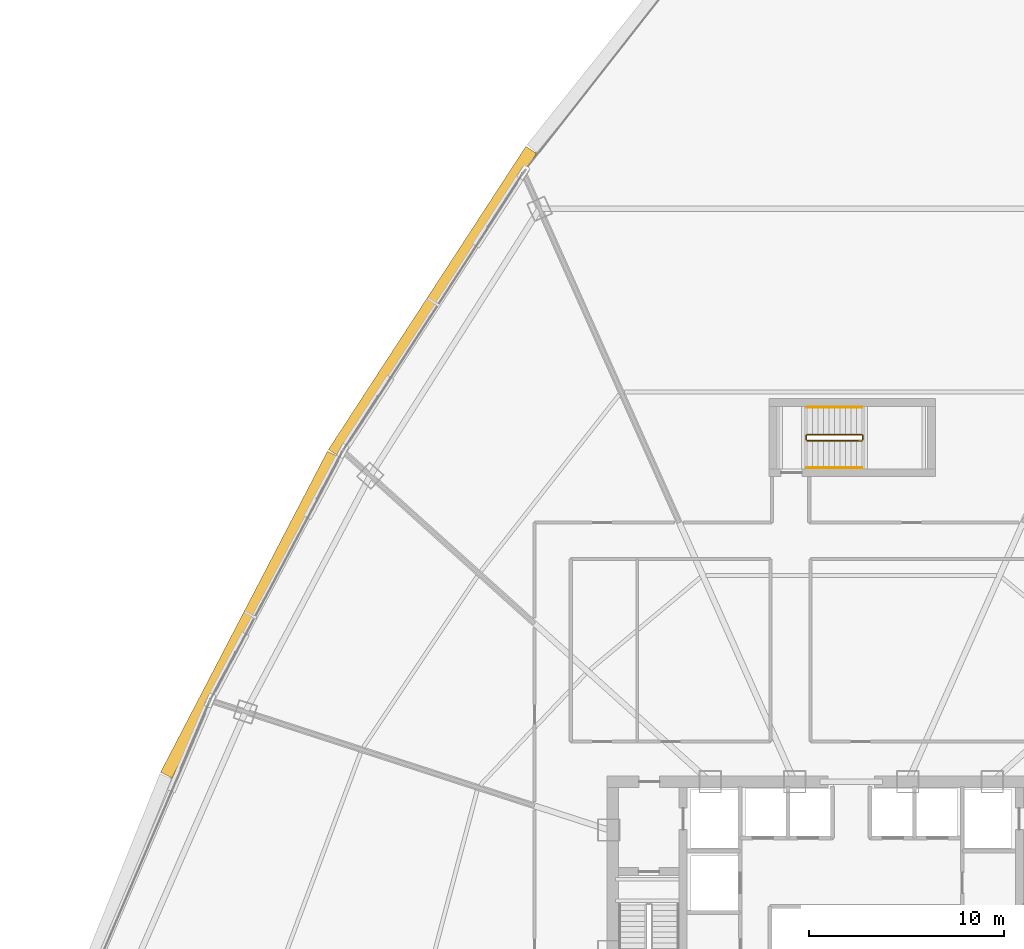
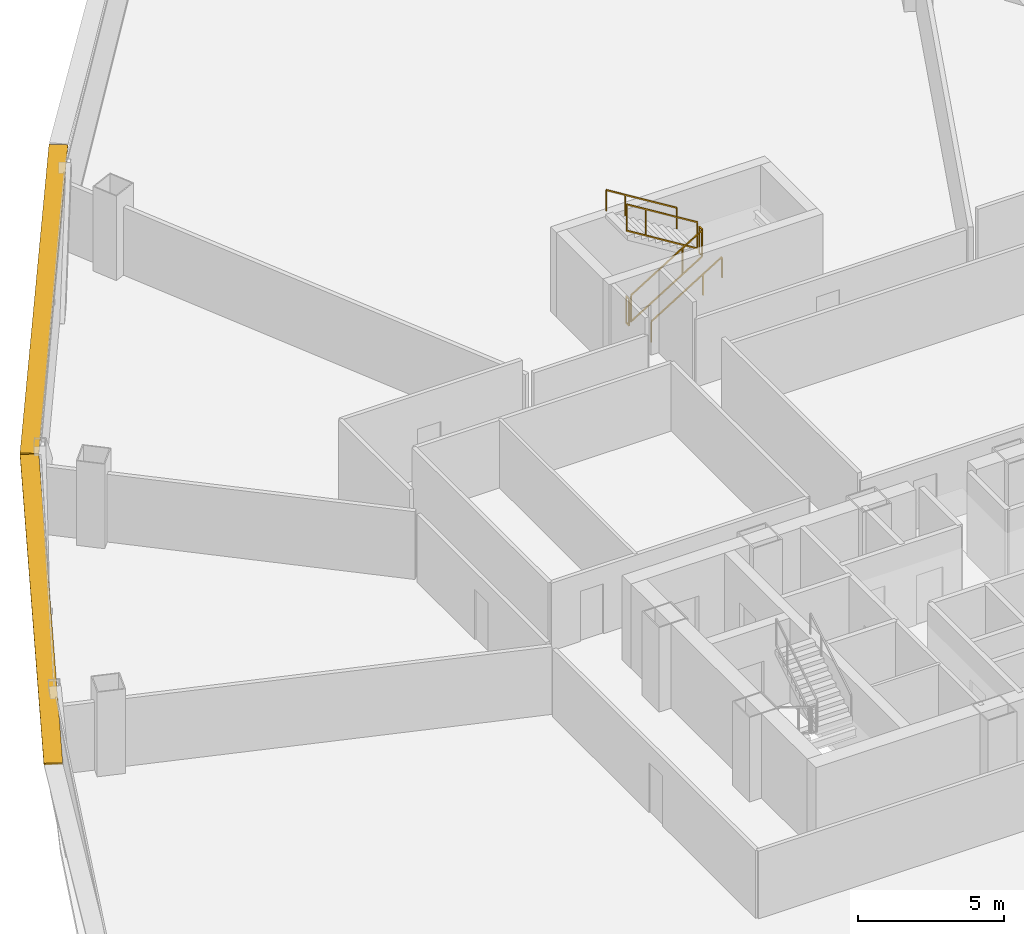
# One storey, part 38 of 39: 6 railings, 2 shading devices.
"""IFC4 building model written with IfcOpenShell, lengths in metres."""

from ifc_helpers import new_model, si_unit, direction, frame, origin, origin_2d, place, context, subcontext, project, spatial, rectangle, extrude, source, transform, mapped, material, layer, layer_set, type_object, element, save


model = new_model("IFC4")

# Units and contexts
model_context = context("Model", 3, precision=1e-05, world=origin(), true_north=direction((0.0, 1.0)))
body_context = subcontext(model_context, "Body", "Model", "MODEL_VIEW")
ifc_project = project(units=[si_unit("LENGTHUNIT", "METRE"), si_unit("AREAUNIT", "SQUARE_METRE"), si_unit("VOLUMEUNIT", "CUBIC_METRE"), si_unit("PLANEANGLEUNIT", "RADIAN"), si_unit("MASSUNIT", "GRAM", prefix="KILO"), si_unit("THERMODYNAMICTEMPERATUREUNIT", "KELVIN"), si_unit("POWERUNIT", "WATT")], contexts=[model_context])

# Site, building, storey
site_placement = place(None, origin())
site = spatial("IfcSite", under=ifc_project, at=site_placement, CompositionType="ELEMENT")
building_placement = place(site_placement, origin())
building = spatial("IfcBuilding", under=site, at=building_placement, Name="Yunzhuo Pagoda Commons", CompositionType="ELEMENT")
storey_placement = place(building_placement, frame((0.0, 0.0, 92.580078125)))
storey = spatial("IfcBuildingStorey", under=building, at=storey_placement, Name="L23", CompositionType="ELEMENT", Elevation=92.580078125)

# Railings
ifc_material = material(Name="Anodized aluminium 6063-T6", Category="aluminium")
railing_type_1 = type_object("IfcRailingType", Name="GR-ST3 North Well Guardrail 1155", PredefinedType="GUARDRAIL", material=ifc_material)
railing_1_placement = place(storey_placement, frame((45.75, 57.64990234375, 0.172607421875)))
element("IfcRailing", 1, at=railing_1_placement, inside=storey, type_object=railing_type_1, Name="L23 ST3 stair guard 1", PredefinedType="GUARDRAIL", context=body_context, shape_type="SweptSolid", body=[
    extrude(rectangle(XDim=0.048095703125, YDim=0.048095703125, at=origin_2d()), frame((0.0, 0.0, 1.1259765625), z_axis=(0.851089632645, 0.0, 0.525020415988), x_axis=(0.0, 1.0, 0.0)), (0.0, 0.0, 1.0), 3.2900390625),
    extrude(rectangle(XDim=0.048095703125, YDim=0.048095703125, at=origin_2d()), frame((0.0, 0.0, 0.02392578125), z_axis=(0.851089632645, 0.0, 0.525020415988), x_axis=(0.0, 1.0, 0.0)), (0.0, 0.0, 1.0), 3.2900390625),
    extrude(rectangle(XDim=0.0419921875, YDim=0.0419921875, at=origin_2d()), origin(), (0.0, 0.0, 1.0), 1.101806640625),
    extrude(rectangle(XDim=0.0419921875, YDim=0.0419921875, at=origin_2d()), frame((2.042724609375, 0.0, 1.260009765625)), (0.0, 0.0, 1.0), 1.101806640625),
    extrude(rectangle(XDim=0.0419921875, YDim=0.0419921875, at=origin_2d()), frame((2.800048828125, 0.0, 1.727294921875)), (0.0, 0.0, 1.0), 1.101806640625),
])
railing_2_placement = place(storey_placement, frame((48.60009765625, 57.699951171875, 1.89990234375)))
element("IfcRailing", 2, at=railing_2_placement, inside=storey, type_object=railing_type_1, Name="L23 ST3 stair guard 2", PredefinedType="GUARDRAIL", context=body_context, shape_type="SweptSolid", body=[
    extrude(rectangle(XDim=0.048095703125, YDim=0.048095703125, at=origin_2d()), frame((0.0, 0.0, 1.1259765625), z_axis=(0.0, 1.0, 0.0), x_axis=(-1.0, 0.0, 0.0)), (0.0, 0.0, 1.0), 0.199951171875),
    extrude(rectangle(XDim=0.048095703125, YDim=0.048095703125, at=origin_2d()), frame((0.0, 0.0, 0.02392578125), z_axis=(0.0, 1.0, 0.0), x_axis=(-1.0, 0.0, 0.0)), (0.0, 0.0, 1.0), 0.199951171875),
    extrude(rectangle(XDim=0.0419921875, YDim=0.0419921875, at=origin_2d()), origin(), (0.0, 0.0, 1.0), 1.101806640625),
    extrude(rectangle(XDim=0.0419921875, YDim=0.0419921875, at=origin_2d()), frame((0.0, 0.199951171875, 0.0)), (0.0, 0.0, 1.0), 1.101806640625),
])
railing_3_placement = place(storey_placement, frame((48.550048828125, 57.949951171875, 2.07275390625)))
element("IfcRailing", 3, at=railing_3_placement, inside=storey, type_object=railing_type_1, Name="L23 ST3 stair guard 3", PredefinedType="GUARDRAIL", context=body_context, shape_type="SweptSolid", body=[
    extrude(rectangle(XDim=0.048095703125, YDim=0.048095703125, at=origin_2d()), frame((0.0, 0.0, 1.1259765625), z_axis=(-0.851122791225, 0.0, 0.524966660138), x_axis=(0.0, -1.0, 0.0)), (0.0, 0.0, 1.0), 3.289794921875),
    extrude(rectangle(XDim=0.048095703125, YDim=0.048095703125, at=origin_2d()), frame((0.0, 0.0, 0.02392578125), z_axis=(-0.851122791225, 0.0, 0.524966660138), x_axis=(0.0, -1.0, 0.0)), (0.0, 0.0, 1.0), 3.289794921875),
    extrude(rectangle(XDim=0.0419921875, YDim=0.0419921875, at=origin_2d()), origin(), (0.0, 0.0, 1.0), 1.101806640625),
    extrude(rectangle(XDim=0.0419921875, YDim=0.0419921875, at=origin_2d()), frame((-2.042724609375, 0.0, 1.260009765625)), (0.0, 0.0, 1.0), 1.101806640625),
    extrude(rectangle(XDim=0.0419921875, YDim=0.0419921875, at=origin_2d()), frame((-2.800048828125, 0.0, 1.72705078125)), (0.0, 0.0, 1.0), 1.101806640625),
])
railing_4_placement = place(storey_placement, frame((45.699951171875, 57.699951171875, 0.0)))
element("IfcRailing", 4, at=railing_4_placement, inside=storey, type_object=railing_type_1, Name="L23 ST3 stair guard 4", PredefinedType="GUARDRAIL", context=body_context, shape_type="SweptSolid", body=[
    extrude(rectangle(XDim=0.048095703125, YDim=0.048095703125, at=origin_2d()), frame((0.0, 0.0, 1.1259765625), z_axis=(0.0, 1.0, 0.0), x_axis=(-1.0, 0.0, 0.0)), (0.0, 0.0, 1.0), 0.199951171875),
    extrude(rectangle(XDim=0.048095703125, YDim=0.048095703125, at=origin_2d()), frame((0.0, 0.0, 0.02392578125), z_axis=(0.0, 1.0, 0.0), x_axis=(-1.0, 0.0, 0.0)), (0.0, 0.0, 1.0), 0.199951171875),
    extrude(rectangle(XDim=0.0419921875, YDim=0.0419921875, at=origin_2d()), origin(), (0.0, 0.0, 1.0), 1.101806640625),
    extrude(rectangle(XDim=0.0419921875, YDim=0.0419921875, at=origin_2d()), frame((0.0, 0.199951171875, 0.0)), (0.0, 0.0, 1.0), 1.101806640625),
])
railing_type_2 = type_object("IfcRailingType", Name="HR-ST3 North Stair Handrail 900", PredefinedType="HANDRAIL", material=ifc_material)
railing_5_placement = place(storey_placement, frame((45.75, 56.25, 0.172607421875)))
element("IfcRailing", 5, at=railing_5_placement, inside=storey, type_object=railing_type_2, Name="L23 ST3 stair handrail 1", PredefinedType="HANDRAIL", context=body_context, shape_type="SweptSolid", body=[
    extrude(rectangle(XDim=0.048095703125, YDim=0.048095703125, at=origin_2d()), frame((0.0, 0.0, 0.8759765625), z_axis=(0.851089632645, 0.0, 0.525020415988), x_axis=(0.0, 1.0, 0.0)), (0.0, 0.0, 1.0), 3.2900390625),
    extrude(rectangle(XDim=0.0419921875, YDim=0.0419921875, at=origin_2d()), origin(), (0.0, 0.0, 1.0), 0.851806640625),
    extrude(rectangle(XDim=0.0419921875, YDim=0.0419921875, at=origin_2d()), frame((2.042724609375, 0.0, 1.260009765625)), (0.0, 0.0, 1.0), 0.851806640625),
    extrude(rectangle(XDim=0.0419921875, YDim=0.0419921875, at=origin_2d()), frame((2.800048828125, 0.0, 1.727294921875)), (0.0, 0.0, 1.0), 0.851806640625),
])
railing_6_placement = place(storey_placement, frame((48.550048828125, 59.35009765625, 2.07275390625)))
element("IfcRailing", 6, at=railing_6_placement, inside=storey, type_object=railing_type_2, Name="L23 ST3 stair handrail 2", PredefinedType="HANDRAIL", context=body_context, shape_type="SweptSolid", body=[
    extrude(rectangle(XDim=0.048095703125, YDim=0.048095703125, at=origin_2d()), frame((0.0, 0.0, 0.8759765625), z_axis=(-0.851122791225, 0.0, 0.524966660138), x_axis=(0.0, -1.0, 0.0)), (0.0, 0.0, 1.0), 3.289794921875),
    extrude(rectangle(XDim=0.0419921875, YDim=0.0419921875, at=origin_2d()), origin(), (0.0, 0.0, 1.0), 0.851806640625),
    extrude(rectangle(XDim=0.0419921875, YDim=0.0419921875, at=origin_2d()), frame((-2.042724609375, 0.0, 1.260009765625)), (0.0, 0.0, 1.0), 0.851806640625),
    extrude(rectangle(XDim=0.0419921875, YDim=0.0419921875, at=origin_2d()), frame((-2.800048828125, 0.0, 1.72705078125)), (0.0, 0.0, 1.0), 0.851806640625),
])

# Shading devices
ifc_layer = layer(ifc_material, 0.080078125)
ifc_layer_set = layer_set([ifc_layer], Name="Anodized aluminium 6063-T6")
shading_device_type = type_object("IfcShadingDeviceType", Name="SH-SUN1 Pagoda Horizontal Sunshade Eave 650", PredefinedType="USERDEFINED", material=ifc_layer_set)
shared_shape = source(origin(), body_context, "Body", "SweptSolid", [
    extrude(rectangle(XDim=18.509521484375, YDim=0.64990234375, at=origin_2d()), origin(), (0.0, 0.0, 1.0), 0.080078125),
])
for number, where, z_axis, x_axis, name in (
    (7, (26.578857421875, 64.768798828125, 3.4599609375), (0.0, 0.0, 1.0), (-0.545838756973, -0.837890238269, 0.0), "L23 horizontal pagoda sunshade eave F3.2"),
    (8, (17.226806640625, 48.748046875, 3.4599609375), (0.0, 0.0, 1.0), (-0.461206683033, -0.88729273384, 0.0), "L23 horizontal pagoda sunshade eave F3.3"),
):
    element("IfcShadingDevice", number, at=place(storey_placement, frame(where, z_axis=z_axis, x_axis=x_axis)), inside=storey, type_object=shading_device_type, Name=name, ObjectType="SUNSHADE", PredefinedType="USERDEFINED", context=body_context, shape_type="MappedRepresentation", body=[
        mapped(shared_shape, transform((0.0, 0.0, 0.0), scale=1.0)),
    ])

save(model, "model.ifc")
